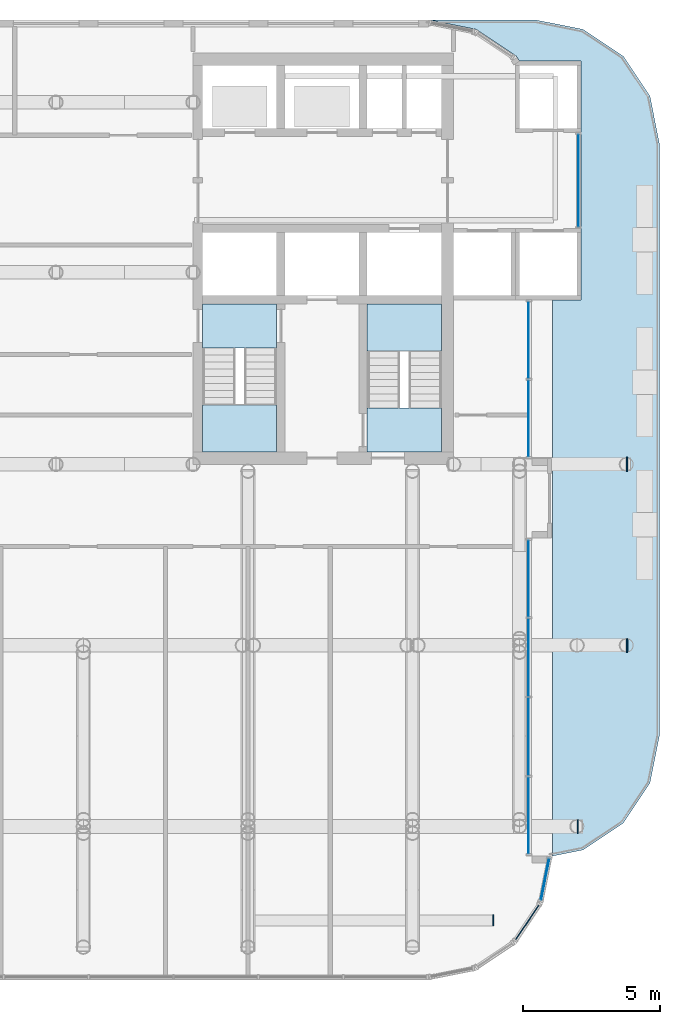
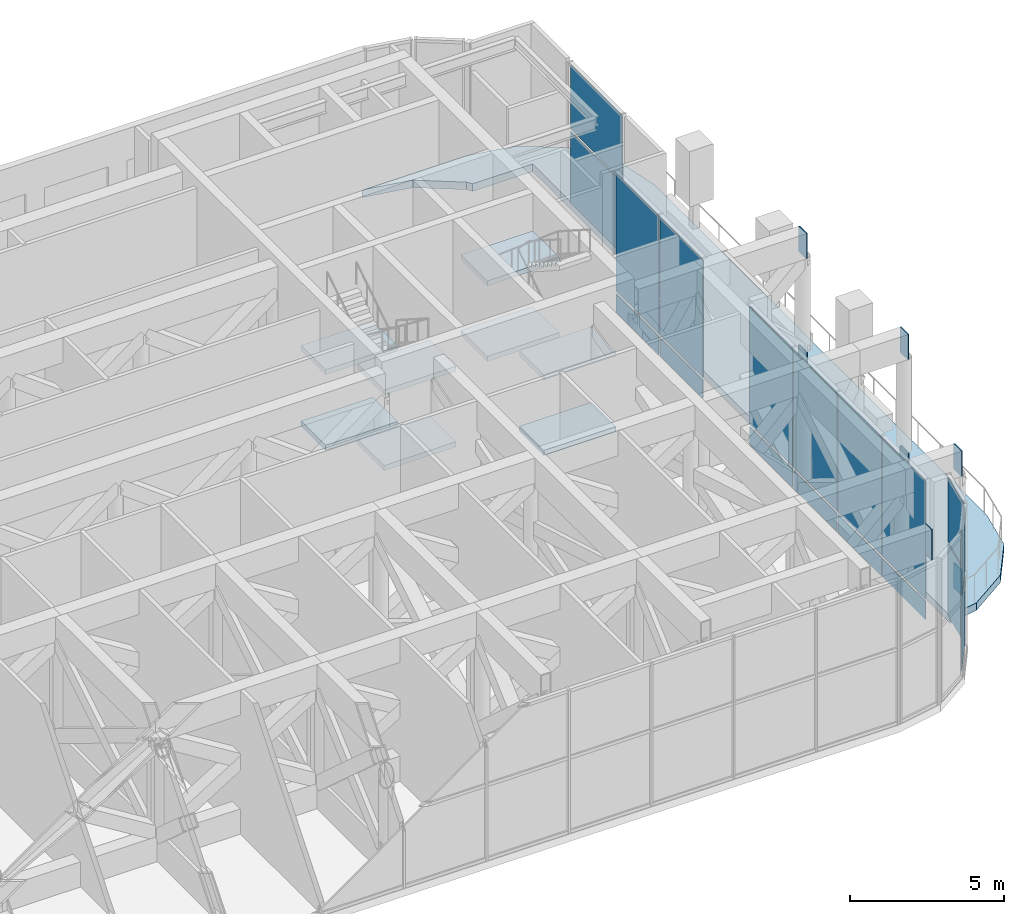
# One storey, part 11 of 21: 25 plates, 9 slabs, 7 elements without a shape of their own.
"""IFC4 building model written with IfcOpenShell, lengths in metres."""

from ifc_helpers import new_model, si_unit, direction, frame, origin, origin_2d, place, context, subcontext, project, spatial, polyline, rectangle, outline, extrude, material, layer, layer_set, type_object, element, aggregate, save


model = new_model("IFC4")

# Units and contexts
model_context = context("Model", 3, precision=1e-05, world=origin(), true_north=direction((0.0, 1.0)))
body_context = subcontext(model_context, "Body", "Model", "MODEL_VIEW")
ifc_project = project(units=[si_unit("LENGTHUNIT", "METRE"), si_unit("AREAUNIT", "SQUARE_METRE"), si_unit("VOLUMEUNIT", "CUBIC_METRE"), si_unit("PLANEANGLEUNIT", "RADIAN"), si_unit("MASSUNIT", "GRAM", prefix="KILO")], contexts=[model_context])

# Site, building, storey
site_placement = place(None, origin())
site = spatial("IfcSite", under=ifc_project, at=site_placement, CompositionType="ELEMENT")
building_placement = place(site_placement, origin())
building = spatial("IfcBuilding", under=site, at=building_placement, Name="Torana Hotel and Residences", CompositionType="ELEMENT")
storey_placement = place(building_placement, frame((0.0, 0.0, 246.60009765625)))
storey = spatial("IfcBuildingStorey", under=building, at=storey_placement, Name="L65", CompositionType="ELEMENT", Elevation=246.60009765625)

# Curtain wall, plates
ifc_material_1 = material(Name="Dark anodised aluminium", Category="aluminium")
ifc_layer_1 = layer(ifc_material_1, 0.199951171875)
ifc_layer_set_1 = layer_set([ifc_layer_1], Name="CW2 SKY LOBBY UNITISED CURTAIN WALL")
curtain_wall_type = type_object("IfcCurtainWallType", Name="CW2 SKY LOBBY UNITISED CURTAIN WALL", PredefinedType="NOTDEFINED", material=ifc_layer_set_1)
curtain_wall_1_placement = place(storey_placement, origin())
curtain_wall_1 = element("IfcCurtainWall", 1, at=curtain_wall_1_placement, inside=storey, type_object=curtain_wall_type, Name="Curtain wall CW2 L65 e0.12-1", PredefinedType="NOTDEFINED")
ifc_material_2 = material(Name="Glass dark tinted double glazed unit", Category="glass")
ifc_layer_2 = layer(ifc_material_2, 0.031982421875)
ifc_layer_set_2 = layer_set([ifc_layer_2], Name="CW2 DARK GLASS PANEL 32")
plate_type_1 = type_object("IfcPlateType", Name="CW2 DARK GLASS PANEL 32", PredefinedType="CURTAIN_PANEL", material=ifc_layer_set_2)
plate_1_placement = place(storey_placement, frame((22.1865234375, -31.696533203125, 0.11962890625), z_axis=(0.0, 0.0, 1.0), x_axis=(0.555563713278, 0.831473968618, 0.0)))
plate_1 = element("IfcPlate", 2, at=plate_1_placement, type_object=plate_type_1, Name="CW2 panel 1.1", PredefinedType="CURTAIN_PANEL", context=body_context, shape_type="SweptSolid", body=[
    extrude(rectangle(XDim=1.516357421875, YDim=0.031982421875, at=origin_2d()), origin(), (0.0, 0.0, 1.0), 2.820068359375),
])
plate_2_placement = place(storey_placement, frame((22.1865234375, -31.696533203125, 3.059814453125), z_axis=(0.0, 0.0, 1.0), x_axis=(0.555563713278, 0.831473968618, 0.0)))
plate_2 = element("IfcPlate", 3, at=plate_2_placement, type_object=plate_type_1, Name="CW2 panel 1.2", PredefinedType="CURTAIN_PANEL", context=body_context, shape_type="SweptSolid", body=[
    extrude(rectangle(XDim=1.516357421875, YDim=0.031982421875, at=origin_2d()), origin(), (0.0, 0.0, 1.0), 2.5400390625),
])
aggregate(curtain_wall_1, [plate_1, plate_2])

curtain_wall_2_placement = place(storey_placement, origin())
curtain_wall_2 = element("IfcCurtainWall", 4, at=curtain_wall_2_placement, inside=storey, type_object=curtain_wall_type, Name="Curtain wall CW2 L65 e0.13-1", PredefinedType="NOTDEFINED")
plate_3_placement = place(storey_placement, frame((22.8330078125, -30.129150390625, 0.11962890625), z_axis=(0.0, 0.0, 1.0), x_axis=(0.195063848566, 0.980790545928, 0.0)))
plate_3 = element("IfcPlate", 5, at=plate_3_placement, type_object=plate_type_1, Name="CW2 panel 1.1", PredefinedType="CURTAIN_PANEL", context=body_context, shape_type="SweptSolid", body=[
    extrude(rectangle(XDim=1.54150390625, YDim=0.031982421875, at=origin_2d()), origin(), (0.0, 0.0, 1.0), 2.820068359375),
])
plate_4_placement = place(storey_placement, frame((22.8330078125, -30.129150390625, 3.059814453125), z_axis=(0.0, 0.0, 1.0), x_axis=(0.195063848566, 0.980790545928, 0.0)))
plate_4 = element("IfcPlate", 6, at=plate_4_placement, type_object=plate_type_1, Name="CW2 panel 1.2", PredefinedType="CURTAIN_PANEL", context=body_context, shape_type="SweptSolid", body=[
    extrude(rectangle(XDim=1.54150390625, YDim=0.031982421875, at=origin_2d()), origin(), (0.0, 0.0, 1.0), 2.5400390625),
])
aggregate(curtain_wall_2, [plate_3, plate_4])

curtain_wall_3_placement = place(storey_placement, origin())
curtain_wall_3 = element("IfcCurtainWall", 7, at=curtain_wall_3_placement, inside=storey, type_object=curtain_wall_type, Name="Curtain wall CW2 L65 e0.14-1", PredefinedType="NOTDEFINED")
plate_5_placement = place(storey_placement, frame((22.22998046875, -27.8095703125, 0.1201171875), z_axis=(0.0, 0.0, 1.0), x_axis=(0.0, 1.0, 0.0)))
plate_5 = element("IfcPlate", 8, at=plate_5_placement, type_object=plate_type_1, Name="CW2 panel 1.1", PredefinedType="CURTAIN_PANEL", context=body_context, shape_type="SweptSolid", body=[
    extrude(rectangle(XDim=2.79150390625, YDim=0.031982421875, at=origin_2d()), origin(), (0.0, 0.0, 1.0), 0.719970703125),
])
plate_6_placement = place(storey_placement, frame((22.22998046875, -27.8095703125, 0.9599609375), z_axis=(0.0, 0.0, 1.0), x_axis=(0.0, 1.0, 0.0)))
plate_6 = element("IfcPlate", 9, at=plate_6_placement, type_object=plate_type_1, Name="CW2 panel 1.2", PredefinedType="CURTAIN_PANEL", context=body_context, shape_type="SweptSolid", body=[
    extrude(rectangle(XDim=2.79150390625, YDim=0.031982421875, at=origin_2d()), origin(), (0.0, 0.0, 1.0), 4.639892578125),
])
plate_7_placement = place(storey_placement, frame((22.22998046875, -24.9306640625, 0.1201171875), z_axis=(0.0, 0.0, 1.0), x_axis=(0.0, 1.0, 0.0)))
plate_7 = element("IfcPlate", 10, at=plate_7_placement, type_object=plate_type_1, Name="CW2 panel 2.1", PredefinedType="CURTAIN_PANEL", context=body_context, shape_type="SweptSolid", body=[
    extrude(rectangle(XDim=2.826416015625, YDim=0.031982421875, at=origin_2d()), origin(), (0.0, 0.0, 1.0), 0.719970703125),
])
plate_8_placement = place(storey_placement, frame((22.22998046875, -24.9306640625, 0.9599609375), z_axis=(0.0, 0.0, 1.0), x_axis=(0.0, 1.0, 0.0)))
plate_8 = element("IfcPlate", 11, at=plate_8_placement, type_object=plate_type_1, Name="CW2 panel 2.2", PredefinedType="CURTAIN_PANEL", context=body_context, shape_type="SweptSolid", body=[
    extrude(rectangle(XDim=2.826416015625, YDim=0.031982421875, at=origin_2d()), origin(), (0.0, 0.0, 1.0), 4.639892578125),
])
plate_9_placement = place(storey_placement, frame((22.22998046875, -22.0341796875, 0.1201171875), z_axis=(0.0, 0.0, 1.0), x_axis=(0.0, 1.0, 0.0)))
plate_9 = element("IfcPlate", 12, at=plate_9_placement, type_object=plate_type_1, Name="CW2 panel 3.1", PredefinedType="CURTAIN_PANEL", context=body_context, shape_type="SweptSolid", body=[
    extrude(rectangle(XDim=2.826416015625, YDim=0.031982421875, at=origin_2d()), origin(), (0.0, 0.0, 1.0), 0.719970703125),
])
plate_10_placement = place(storey_placement, frame((22.22998046875, -22.0341796875, 0.9599609375), z_axis=(0.0, 0.0, 1.0), x_axis=(0.0, 1.0, 0.0)))
plate_10 = element("IfcPlate", 13, at=plate_10_placement, type_object=plate_type_1, Name="CW2 panel 3.2", PredefinedType="CURTAIN_PANEL", context=body_context, shape_type="SweptSolid", body=[
    extrude(rectangle(XDim=2.826416015625, YDim=0.031982421875, at=origin_2d()), origin(), (0.0, 0.0, 1.0), 4.639892578125),
])
plate_11_placement = place(storey_placement, frame((22.22998046875, -19.155029296875, 0.1201171875), z_axis=(0.0, 0.0, 1.0), x_axis=(0.0, 1.0, 0.0)))
plate_11 = element("IfcPlate", 14, at=plate_11_placement, type_object=plate_type_1, Name="CW2 panel 4.1", PredefinedType="CURTAIN_PANEL", context=body_context, shape_type="SweptSolid", body=[
    extrude(rectangle(XDim=2.79150390625, YDim=0.031982421875, at=origin_2d()), origin(), (0.0, 0.0, 1.0), 0.719970703125),
])
plate_12_placement = place(storey_placement, frame((22.22998046875, -19.155029296875, 0.9599609375), z_axis=(0.0, 0.0, 1.0), x_axis=(0.0, 1.0, 0.0)))
plate_12 = element("IfcPlate", 15, at=plate_12_placement, type_object=plate_type_1, Name="CW2 panel 4.2", PredefinedType="CURTAIN_PANEL", context=body_context, shape_type="SweptSolid", body=[
    extrude(rectangle(XDim=2.79150390625, YDim=0.031982421875, at=origin_2d()), origin(), (0.0, 0.0, 1.0), 4.639892578125),
])
aggregate(curtain_wall_3, [plate_5, plate_6, plate_7, plate_8, plate_9, plate_10, plate_11, plate_12])

curtain_wall_4_placement = place(storey_placement, origin())
curtain_wall_4 = element("IfcCurtainWall", 16, at=curtain_wall_4_placement, inside=storey, type_object=curtain_wall_type, Name="Curtain wall CW2 L65 e0.14-2", PredefinedType="NOTDEFINED")
plate_13_placement = place(storey_placement, frame((22.22998046875, -13.3271484375, 0.1201171875), z_axis=(0.0, 0.0, 1.0), x_axis=(0.0, 1.0, 0.0)))
plate_13 = element("IfcPlate", 17, at=plate_13_placement, type_object=plate_type_1, Name="CW2 panel 1.1", PredefinedType="CURTAIN_PANEL", context=body_context, shape_type="SweptSolid", body=[
    extrude(rectangle(XDim=2.79150390625, YDim=0.031982421875, at=origin_2d()), origin(), (0.0, 0.0, 1.0), 0.719970703125),
])
plate_14_placement = place(storey_placement, frame((22.22998046875, -13.3271484375, 0.9599609375), z_axis=(0.0, 0.0, 1.0), x_axis=(0.0, 1.0, 0.0)))
plate_14 = element("IfcPlate", 18, at=plate_14_placement, type_object=plate_type_1, Name="CW2 panel 1.2", PredefinedType="CURTAIN_PANEL", context=body_context, shape_type="SweptSolid", body=[
    extrude(rectangle(XDim=2.79150390625, YDim=0.031982421875, at=origin_2d()), origin(), (0.0, 0.0, 1.0), 4.639892578125),
])
plate_15_placement = place(storey_placement, frame((22.22998046875, -10.4658203125, 0.1201171875), z_axis=(0.0, 0.0, 1.0), x_axis=(0.0, 1.0, 0.0)))
plate_15 = element("IfcPlate", 19, at=plate_15_placement, type_object=plate_type_1, Name="CW2 panel 2.1", PredefinedType="CURTAIN_PANEL", context=body_context, shape_type="SweptSolid", body=[
    extrude(rectangle(XDim=2.79150390625, YDim=0.031982421875, at=origin_2d()), origin(), (0.0, 0.0, 1.0), 0.719970703125),
])
plate_16_placement = place(storey_placement, frame((22.22998046875, -10.4658203125, 0.9599609375), z_axis=(0.0, 0.0, 1.0), x_axis=(0.0, 1.0, 0.0)))
plate_16 = element("IfcPlate", 20, at=plate_16_placement, type_object=plate_type_1, Name="CW2 panel 2.2", PredefinedType="CURTAIN_PANEL", context=body_context, shape_type="SweptSolid", body=[
    extrude(rectangle(XDim=2.79150390625, YDim=0.031982421875, at=origin_2d()), origin(), (0.0, 0.0, 1.0), 4.639892578125),
])
aggregate(curtain_wall_4, [plate_13, plate_14, plate_15, plate_16])

curtain_wall_5_placement = place(storey_placement, origin())
curtain_wall_5 = element("IfcCurtainWall", 21, at=curtain_wall_5_placement, inside=storey, type_object=curtain_wall_type, Name="Curtain wall CW2 L65 e0.16", PredefinedType="NOTDEFINED")
plate_17_placement = place(storey_placement, frame((24.050048828125, -4.64990234375, 0.11962890625), z_axis=(0.0, 0.0, 1.0), x_axis=(0.0, 1.0, 0.0)))
plate_17 = element("IfcPlate", 22, at=plate_17_placement, type_object=plate_type_1, Name="CW2 panel 1.1", PredefinedType="CURTAIN_PANEL", context=body_context, shape_type="SweptSolid", body=[
    extrude(rectangle(XDim=3.360107421875, YDim=0.031982421875, at=origin_2d()), origin(), (0.0, 0.0, 1.0), 2.820068359375),
])
plate_18_placement = place(storey_placement, frame((24.050048828125, -4.64990234375, 3.059814453125), z_axis=(0.0, 0.0, 1.0), x_axis=(0.0, 1.0, 0.0)))
plate_18 = element("IfcPlate", 23, at=plate_18_placement, type_object=plate_type_1, Name="CW2 panel 1.2", PredefinedType="CURTAIN_PANEL", context=body_context, shape_type="SweptSolid", body=[
    extrude(rectangle(XDim=3.360107421875, YDim=0.031982421875, at=origin_2d()), origin(), (0.0, 0.0, 1.0), 2.5400390625),
])
aggregate(curtain_wall_5, [plate_17, plate_18])

# Stair, slabs
ifc_material_3 = material(Name="Concrete C40/50 precast", Category="concrete")
stair_type_1 = type_object("IfcStairType", Name="STAIR ST3 HALF TURN 1200", PredefinedType="HALF_TURN_STAIR", material=ifc_material_3)
stair_1_placement = place(storey_placement, origin())
stair_1 = element("IfcStair", 24, at=stair_1_placement, inside=storey, type_object=stair_type_1, Name="Stair ST3 L65", PredefinedType="HALF_TURN_STAIR")
ifc_material_4 = material(Name="Concrete C40/50 precast", Category="concrete")
ifc_layer_3 = layer(ifc_material_4, 0.199951171875)
ifc_layer_set_3 = layer_set([ifc_layer_3], Name="STAIR LANDING 200")
slab_type_1 = type_object("IfcSlabType", Name="STAIR LANDING 200", PredefinedType="LANDING", material=ifc_layer_set_3)
slab_1_placement = place(storey_placement, frame((0.0, 0.0, 1.2998046875)))
slab_1 = element("IfcSlab", 25, at=slab_1_placement, type_object=slab_type_1, Name="ST3 landing 1", PredefinedType="LANDING", context=body_context, shape_type="SweptSolid", body=[
    extrude(outline(polyline([(10.35009765625, -14.550048828125), (13.050048828125, -14.550048828125), (13.050048828125, -12.830078125), (10.35009765625, -12.830078125), (10.35009765625, -14.550048828125)])), origin(), (0.0, 0.0, 1.0), 0.2001953125),
])
slab_2_placement = place(storey_placement, frame((0.0, 0.0, -0.2001953125)))
slab_2 = element("IfcSlab", 26, at=slab_2_placement, type_object=slab_type_1, Name="ST3 landing 2", PredefinedType="LANDING", context=body_context, shape_type="SweptSolid", body=[
    extrude(outline(polyline([(10.35009765625, -10.75), (13.050048828125, -10.75), (13.050048828125, -9.14990234375), (10.35009765625, -9.14990234375), (10.35009765625, -10.75)])), origin(), (0.0, 0.0, 1.0), 0.2001953125),
])
slab_3_placement = place(storey_placement, frame((0.0, 0.0, 4.2998046875)))
slab_3 = element("IfcSlab", 27, at=slab_3_placement, type_object=slab_type_1, Name="ST3 landing 3", PredefinedType="LANDING", context=body_context, shape_type="SweptSolid", body=[
    extrude(outline(polyline([(10.35009765625, -14.550048828125), (13.050048828125, -14.550048828125), (13.050048828125, -12.830078125), (10.35009765625, -12.830078125), (10.35009765625, -14.550048828125)])), origin(), (0.0, 0.0, 1.0), 0.2001953125),
])
slab_4_placement = place(storey_placement, frame((0.0, 0.0, 2.7998046875)))
slab_4 = element("IfcSlab", 28, at=slab_4_placement, type_object=slab_type_1, Name="ST3 landing 4", PredefinedType="LANDING", context=body_context, shape_type="SweptSolid", body=[
    extrude(outline(polyline([(10.35009765625, -10.75), (13.050048828125, -10.75), (13.050048828125, -9.14990234375), (10.35009765625, -9.14990234375), (10.35009765625, -10.75)])), origin(), (0.0, 0.0, 1.0), 0.2001953125),
])
aggregate(stair_1, [slab_1, slab_2, slab_3, slab_4])

ifc_material_5 = material(Name="Concrete C40/50 precast", Category="concrete")
stair_type_2 = type_object("IfcStairType", Name="STAIR ST4 HALF TURN 1200", PredefinedType="HALF_TURN_STAIR", material=ifc_material_5)
stair_2_placement = place(storey_placement, origin())
stair_2 = element("IfcStair", 29, at=stair_2_placement, inside=storey, type_object=stair_type_2, Name="Stair ST4 L65", PredefinedType="HALF_TURN_STAIR")
slab_5_placement = place(storey_placement, frame((0.0, 0.0, 1.2998046875)))
slab_5 = element("IfcSlab", 30, at=slab_5_placement, type_object=slab_type_1, Name="ST4 landing 1", PredefinedType="LANDING", context=body_context, shape_type="SweptSolid", body=[
    extrude(outline(polyline([(16.35009765625, -10.8701171875), (19.050048828125, -10.8701171875), (19.050048828125, -9.14990234375), (16.35009765625, -9.14990234375), (16.35009765625, -10.8701171875)])), origin(), (0.0, 0.0, 1.0), 0.2001953125),
])
slab_6_placement = place(storey_placement, frame((0.0, 0.0, -0.2001953125)))
slab_6 = element("IfcSlab", 31, at=slab_6_placement, type_object=slab_type_1, Name="ST4 landing 2", PredefinedType="LANDING", context=body_context, shape_type="SweptSolid", body=[
    extrude(outline(polyline([(16.35009765625, -14.550048828125), (19.050048828125, -14.550048828125), (19.050048828125, -12.949951171875), (16.35009765625, -12.949951171875), (16.35009765625, -14.550048828125)])), origin(), (0.0, 0.0, 1.0), 0.2001953125),
])
slab_7_placement = place(storey_placement, frame((0.0, 0.0, 4.2998046875)))
slab_7 = element("IfcSlab", 32, at=slab_7_placement, type_object=slab_type_1, Name="ST4 landing 3", PredefinedType="LANDING", context=body_context, shape_type="SweptSolid", body=[
    extrude(outline(polyline([(16.35009765625, -10.8701171875), (19.050048828125, -10.8701171875), (19.050048828125, -9.14990234375), (16.35009765625, -9.14990234375), (16.35009765625, -10.8701171875)])), origin(), (0.0, 0.0, 1.0), 0.2001953125),
])
slab_8_placement = place(storey_placement, frame((0.0, 0.0, 2.7998046875)))
slab_8 = element("IfcSlab", 33, at=slab_8_placement, type_object=slab_type_1, Name="ST4 landing 4", PredefinedType="LANDING", context=body_context, shape_type="SweptSolid", body=[
    extrude(outline(polyline([(16.35009765625, -14.550048828125), (19.050048828125, -14.550048828125), (19.050048828125, -12.949951171875), (16.35009765625, -12.949951171875), (16.35009765625, -14.550048828125)])), origin(), (0.0, 0.0, 1.0), 0.2001953125),
])
aggregate(stair_2, [slab_5, slab_6, slab_7, slab_8])

# Plates
ifc_material_6 = material(Name="Steel S355", Category="steel")
ifc_layer_4 = layer(ifc_material_6, 0.0400390625)
ifc_layer_set_4 = layer_set([ifc_layer_4], Name="STEEL END PLATE 40")
plate_type_2 = type_object("IfcPlateType", Name="STEEL END PLATE 40", PredefinedType="SHEET", material=ifc_layer_set_4)
plate_19_placement = place(storey_placement, frame((20.949951171875, -31.6298828125, 4.52001953125), z_axis=(0.0, 0.0, 1.0), x_axis=(1.0, 0.0, 0.0)))
element("IfcPlate", 34, at=plate_19_placement, inside=storey, type_object=plate_type_2, Name="End plate L65", PredefinedType="SHEET", context=body_context, shape_type="SweptSolid", body=[
    extrude(rectangle(XDim=0.0400390625, YDim=0.39990234375, at=origin_2d()), origin(), (0.0, 0.0, 1.0), 1.199951171875),
])
ifc_material_7 = material(Name="Steel S355", Category="steel")
ifc_layer_5 = layer(ifc_material_7, 0.050048828125)
ifc_layer_set_5 = layer_set([ifc_layer_5], Name="STEEL END PLATE 50")
plate_type_3 = type_object("IfcPlateType", Name="STEEL END PLATE 50", PredefinedType="SHEET", material=ifc_layer_set_5)
for number, where, z_axis, x_axis, name in (
    (35, (24.02490234375, -28.199951171875, 0.0), (0.0, 0.0, 1.0), (1.0, 0.0, 0.0), "End plate L65"),
    (36, (24.02490234375, -28.199951171875, 4.719970703125), (0.0, 0.0, 1.0), (1.0, 0.0, 0.0), "End plate L65"),
    (37, (25.824951171875, -21.60009765625, 0.0), (0.0, 0.0, 1.0), (1.0, 0.0, 0.0), "End plate L65"),
    (38, (25.824951171875, -21.60009765625, 4.719970703125), (0.0, 0.0, 1.0), (1.0, 0.0, 0.0), "End plate L65"),
    (39, (25.824951171875, -15.0, 0.0), (0.0, 0.0, 1.0), (1.0, 0.0, 0.0), "End plate L65"),
    (40, (25.824951171875, -15.0, 4.719970703125), (0.0, 0.0, 1.0), (1.0, 0.0, 0.0), "End plate L65"),
):
    element("IfcPlate", number, at=place(storey_placement, frame(where, z_axis=z_axis, x_axis=x_axis)), inside=storey, type_object=plate_type_3, Name=name, PredefinedType="SHEET", context=body_context, shape_type="SweptSolid", body=[
        extrude(rectangle(XDim=0.050048828125, YDim=0.5, at=origin_2d()), origin(), (0.0, 0.0, 1.0), 1.0),
    ])

# Slab
ifc_material_8 = material(Name="Concrete C40/50", Category="concrete")
ifc_layer_6 = layer(ifc_material_8, 0.300048828125)
ifc_layer_set_6 = layer_set([ifc_layer_6], Name="TR1 TERRACE SLAB 300")
slab_type_2 = type_object("IfcSlabType", Name="TR1 TERRACE SLAB 300", PredefinedType="USERDEFINED", material=ifc_layer_set_6)
slab_9_placement = place(storey_placement, frame((0.0, 0.0, -0.300048828125)))
element("IfcSlab", 41, at=slab_9_placement, inside=storey, type_object=slab_type_2, Name="Terrace L65 1", ObjectType="TERRACE", PredefinedType="USERDEFINED", context=body_context, shape_type="SweptSolid", body=[
    extrude(outline(polyline([(22.5, 1.199951171875), (24.22216796875, 0.857421875), (25.681884765625, -0.117919921875), (26.657470703125, -1.577880859375), (27.0, -3.300048828125), (27.0, -24.89990234375), (26.657470703125, -26.6220703125), (25.681884765625, -28.08203125), (24.22216796875, -29.0576171875), (23.10107421875, -29.280517578125), (23.10107421875, -9.0009765625), (24.14990234375, -9.0009765625), (24.150146484375, -9.0009765625), (24.150146484375, -9.0009765625), (24.150390625, -9.0009765625), (24.150390625, -9.0009765625), (24.150390625, -9.0009765625), (24.150634765625, -9.000732421875), (24.150634765625, -9.000732421875), (24.150634765625, -9.000732421875), (24.15087890625, -9.00048828125), (24.15087890625, -9.00048828125), (24.15087890625, -9.00048828125), (24.15087890625, -9.00048828125), (24.15087890625, -9.000244140625), (24.15087890625, -9.000244140625), (24.15087890625, -9.0), (24.15087890625, -9.0), (24.15087890625, -0.300048828125), (24.15087890625, -0.2998046875), (24.15087890625, -0.2998046875), (24.15087890625, -0.2998046875), (24.15087890625, -0.299560546875), (24.15087890625, -0.299560546875), (24.15087890625, -0.29931640625), (24.15087890625, -0.29931640625), (24.150634765625, -0.29931640625), (24.150634765625, -0.29931640625), (24.150634765625, -0.29931640625), (24.150390625, -0.299072265625), (24.150390625, -0.299072265625), (24.150390625, -0.299072265625), (24.150146484375, -0.299072265625), (24.150146484375, -0.299072265625), (24.14990234375, -0.299072265625), (21.904052734375, -0.299072265625), (21.78271484375, -0.117431640625), (21.78271484375, -0.117431640625), (21.78271484375, -0.1171875), (21.78271484375, -0.1171875), (21.78271484375, -0.1171875), (20.32275390625, 0.8583984375), (20.322509765625, 0.8583984375), (20.322509765625, 0.8583984375), (20.322509765625, 0.8583984375), (20.322265625, 0.8583984375), (18.60498046875, 1.199951171875), (22.5, 1.199951171875)])), origin(), (0.0, 0.0, 1.0), 0.300048828125),
])

save(model, "model.ifc")
